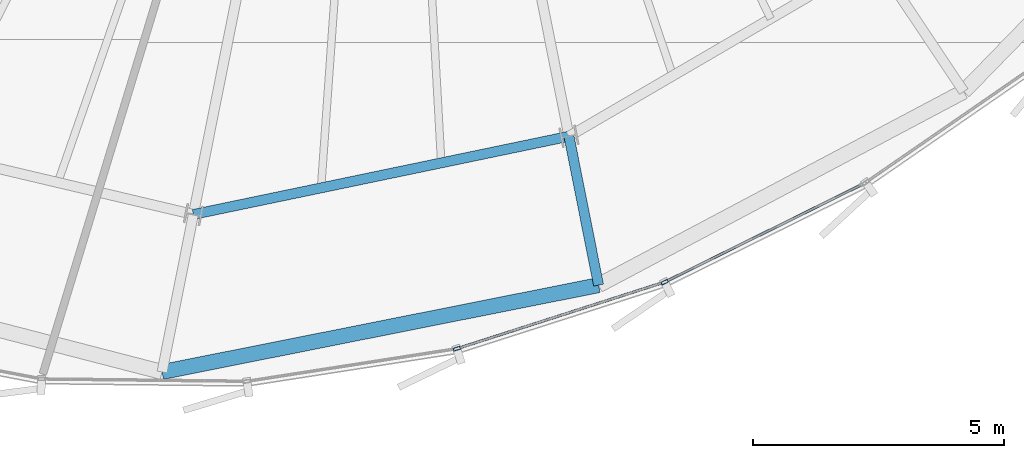
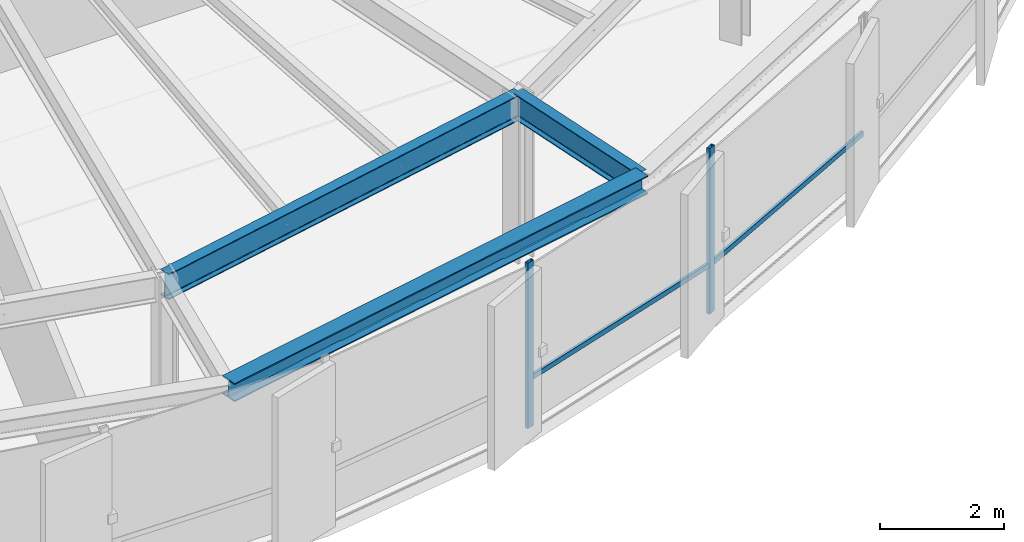
# One storey, part 7 of 34: 4 members, 3 beams, 1 element without a shape of its own.
"""IFC4 building model written with IfcOpenShell, lengths in metres."""

from ifc_helpers import new_model, si_unit, direction, frame, origin, origin_2d, place, context, subcontext, project, spatial, hollow_rectangle, i_section, extrude, source, transform, mapped, material, layer, layer_set, material_profile, profile_set, type_object, element, aggregate, save


model = new_model("IFC4")

# Units and contexts
model_context = context("Model", 3, precision=1e-05, world=origin(), true_north=direction((0.0, 1.0)))
body_context = subcontext(model_context, "Body", "Model", "MODEL_VIEW")
ifc_project = project(units=[si_unit("LENGTHUNIT", "METRE"), si_unit("AREAUNIT", "SQUARE_METRE"), si_unit("VOLUMEUNIT", "CUBIC_METRE"), si_unit("PLANEANGLEUNIT", "RADIAN"), si_unit("MASSUNIT", "GRAM", prefix="KILO"), si_unit("THERMODYNAMICTEMPERATUREUNIT", "KELVIN")], contexts=[model_context])

# Site, building, storey
site_placement = place(None, origin())
site = spatial("IfcSite", under=ifc_project, at=site_placement, CompositionType="ELEMENT")
building_placement = place(site_placement, origin())
building = spatial("IfcBuilding", under=site, at=building_placement, Name="Kethvar Cultural Tower", CompositionType="ELEMENT")
storey_placement = place(building_placement, frame((0.0, 0.0, 190.39990234375)))
storey = spatial("IfcBuildingStorey", under=building, at=storey_placement, Name="L49", CompositionType="ELEMENT", Elevation=190.39990234375)

# Beams
ifc_material_1 = material(Name="Steel S355J2", Category="steel")
ifc_material_profile_1 = material_profile(ifc_material_1, i_section(OverallWidth=0.199951171875, OverallDepth=0.5, WebThickness=0.01025390625, FlangeThickness=0.01611328125, FilletRadius=0.02099609375, at=origin_2d()), Name="Steel S355J2 — IPE500")
ifc_profile_set_1 = profile_set([ifc_material_profile_1], Name="Steel S355J2 — IPE500")
beam_type_1 = type_object("IfcBeamType", Name="BM-IPE500", PredefinedType="BEAM", material=ifc_profile_set_1)
shared_shape_1 = source(origin(), body_context, "Body", "SweptSolid", [
    extrude(i_section(OverallWidth=0.199951171875, OverallDepth=0.5, WebThickness=0.01025390625, FlangeThickness=0.01611328125, FilletRadius=0.02099609375, at=origin_2d()), origin(), (0.0, 0.0, 1.0), 7.6435546875),
])
beam_1_placement = place(storey_placement, frame((42.903564453125, 8.2109375, 3.008056640625), z_axis=(0.979016278161, 0.203782057834, 0.0), x_axis=(-0.203782057834, 0.979016278161, 0.0)))
element("IfcBeam", 1, at=beam_1_placement, inside=storey, type_object=beam_type_1, Name="L49 Column Ring Tie Beam CR-12", PredefinedType="BEAM", context=body_context, shape_type="MappedRepresentation", body=[
    mapped(shared_shape_1, transform((0.0, 0.0, 0.0), scale=1.0)),
])
shared_shape_2 = source(origin(), body_context, "Body", "SweptSolid", [
    extrude(i_section(OverallWidth=0.199951171875, OverallDepth=0.5, WebThickness=0.01025390625, FlangeThickness=0.01611328125, FilletRadius=0.02099609375, at=origin_2d()), origin(), (0.0, 0.0, 1.0), 3.023681640625),
])
beam_2_placement = place(storey_placement, frame((50.38671875, 9.7685546875, 3.008056640625), z_axis=(0.19507567911, -0.980788192945, 0.0), x_axis=(0.980788192945, 0.19507567911, 0.0)))
element("IfcBeam", 2, at=beam_2_placement, inside=storey, type_object=beam_type_1, Name="L49 Perimeter Cantilever Beam RC-13", PredefinedType="BEAM", context=body_context, shape_type="MappedRepresentation", body=[
    mapped(shared_shape_2, transform((0.0, 0.0, 0.0), scale=1.0)),
])
ifc_material_profile_2 = material_profile(ifc_material_1, i_section(OverallWidth=0.300048828125, OverallDepth=0.360107421875, WebThickness=0.012451171875, FlangeThickness=0.0224609375, FilletRadius=0.027099609375, at=origin_2d()), Name="Steel S355J2 — HEB360")
ifc_profile_set_2 = profile_set([ifc_material_profile_2], Name="Steel S355J2 — HEB360")
beam_type_2 = type_object("IfcBeamType", Name="BM-SP360", PredefinedType="SPANDREL", material=ifc_profile_set_2)
shared_shape_3 = source(origin(), body_context, "Body", "SweptSolid", [
    extrude(i_section(OverallWidth=0.300048828125, OverallDepth=0.360107421875, WebThickness=0.012451171875, FlangeThickness=0.0224609375, FilletRadius=0.027099609375, at=origin_2d()), origin(), (0.0, 0.0, 1.0), 8.86767578125),
])
beam_3_placement = place(storey_placement, frame((42.279296875, 5.072509765625, 3.078125), z_axis=(0.980775028668, 0.195141853896, 0.0), x_axis=(-0.195141853896, 0.980775028668, 0.0)))
element("IfcBeam", 3, at=beam_3_placement, inside=storey, type_object=beam_type_2, Name="L49 Perimeter Spandrel Beam SP-12", PredefinedType="SPANDREL", context=body_context, shape_type="MappedRepresentation", body=[
    mapped(shared_shape_3, transform((0.0, 0.0, 0.0), scale=1.0)),
])

# Curtain wall, members
ifc_material_2 = material(Name="Aluminium 6063-T6", Category="aluminium")
ifc_layer = layer(ifc_material_2, 0.179931640625, Name="Aluminium 6063-T6", Category="aluminium")
ifc_layer_set = layer_set([ifc_layer], Name="Aluminium 6063-T6 (180 mm)")
curtain_wall_type = type_object("IfcCurtainWallType", Name="CW-SYS-04-Z34", PredefinedType="NOTDEFINED", material=ifc_layer_set)
curtain_wall_placement = place(storey_placement, origin())
curtain_wall = element("IfcCurtainWall", 4, at=curtain_wall_placement, inside=storey, type_object=curtain_wall_type, Name="L49 Curtain Wall Run 05", PredefinedType="NOTDEFINED")
ifc_material_profile_3 = material_profile(ifc_material_2, hollow_rectangle(XDim=0.06005859375, YDim=0.139892578125, WallThickness=0.0048828125, at=origin_2d()), Name="Aluminium 6063-T6 — RHS140x60x5")
ifc_profile_set_3 = profile_set([ifc_material_profile_3], Name="Aluminium 6063-T6 — RHS140x60x5")
member_type_1 = type_object("IfcMemberType", Name="CW-SYS-04-Z34-MUL", PredefinedType="MULLION", material=ifc_profile_set_3)
shared_shape_4 = source(origin(), body_context, "Body", "SweptSolid", [
    extrude(hollow_rectangle(XDim=0.06005859375, YDim=0.139892578125, WallThickness=0.0048828125, at=origin_2d()), origin(), (0.0, 0.0, 1.0), 3.260009765625),
])
member_1_placement = place(storey_placement, frame((48.151611328125, 5.536376953125, 0.0), z_axis=(0.0, 0.0, 1.0), x_axis=(-0.30536293049, 0.952236042525, 0.0)))
member_1 = element("IfcMember", 5, at=member_1_placement, type_object=member_type_1, Name="CW-L49-R05 Mullion 5", PredefinedType="MULLION", context=body_context, shape_type="MappedRepresentation", body=[
    mapped(shared_shape_4, transform((0.0, 0.0, 0.0), scale=1.0)),
])
member_2_placement = place(storey_placement, frame((52.29296875, 6.86328125, 0.0), z_axis=(0.0, 0.0, 1.0), x_axis=(-0.443258940784, 0.896393614109, 0.0)))
member_2 = element("IfcMember", 6, at=member_2_placement, type_object=member_type_1, Name="CW-L49-R05 Mullion 6", PredefinedType="MULLION", context=body_context, shape_type="MappedRepresentation", body=[
    mapped(shared_shape_4, transform((0.0, 0.0, 0.0), scale=1.0)),
])
ifc_material_profile_4 = material_profile(ifc_material_2, hollow_rectangle(XDim=0.050048828125, YDim=0.10009765625, WallThickness=0.00390625, at=origin_2d()), Name="Aluminium 6063-T6 — RHS100x50x4")
ifc_profile_set_4 = profile_set([ifc_material_profile_4], Name="Aluminium 6063-T6 — RHS100x50x4")
member_type_2 = type_object("IfcMemberType", Name="CW-SYS-04-Z34-TRN", PredefinedType="USERDEFINED", material=ifc_profile_set_4)
shared_shape_5 = source(origin(), body_context, "Body", "SweptSolid", [
    extrude(hollow_rectangle(XDim=0.050048828125, YDim=0.10009765625, WallThickness=0.00390625, at=origin_2d()), origin(), (0.0, 0.0, 1.0), 4.278564453125),
])
member_3_placement = place(storey_placement, frame((48.19287109375, 5.549560546875, 0.9501953125), z_axis=(0.952227840338, 0.305388506801, 0.0), x_axis=(-0.305388506801, 0.952227840338, 0.0)))
member_3 = element("IfcMember", 7, at=member_3_placement, type_object=member_type_2, Name="CW-L49-R05 Transom 5", ObjectType="TRANSOM", PredefinedType="USERDEFINED", context=body_context, shape_type="MappedRepresentation", body=[
    mapped(shared_shape_5, transform((0.0, 0.0, 0.0), scale=1.0)),
])
shared_shape_6 = source(origin(), body_context, "Body", "SweptSolid", [
    extrude(hollow_rectangle(XDim=0.050048828125, YDim=0.10009765625, WallThickness=0.00390625, at=origin_2d()), origin(), (0.0, 0.0, 1.0), 4.362548828125),
])
member_4_placement = place(storey_placement, frame((52.331787109375, 6.88232421875, 0.9501953125), z_axis=(0.896388352734, 0.443269580597, 0.0), x_axis=(-0.443269580597, 0.896388352734, 0.0)))
member_4 = element("IfcMember", 8, at=member_4_placement, type_object=member_type_2, Name="CW-L49-R05 Transom 6", ObjectType="TRANSOM", PredefinedType="USERDEFINED", context=body_context, shape_type="MappedRepresentation", body=[
    mapped(shared_shape_6, transform((0.0, 0.0, 0.0), scale=1.0)),
])
aggregate(curtain_wall, [member_1, member_2, member_3, member_4])

save(model, "model.ifc")
